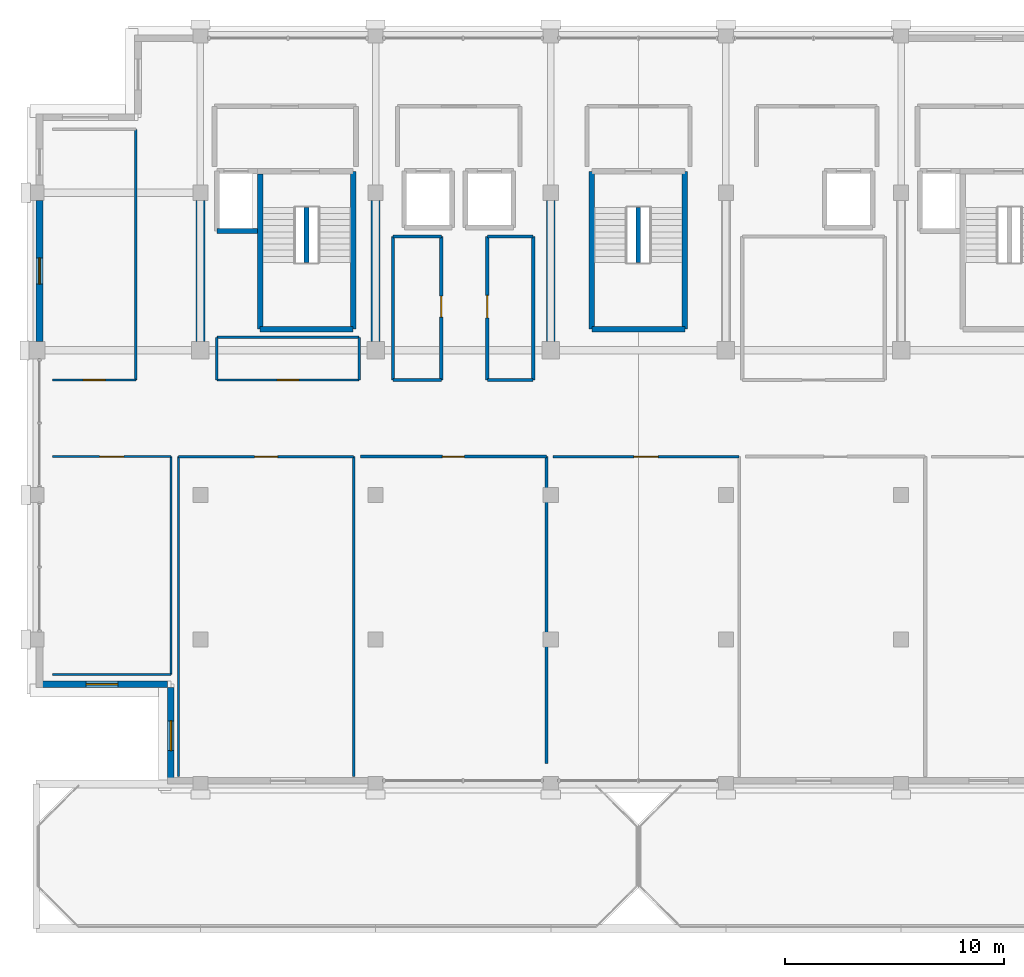
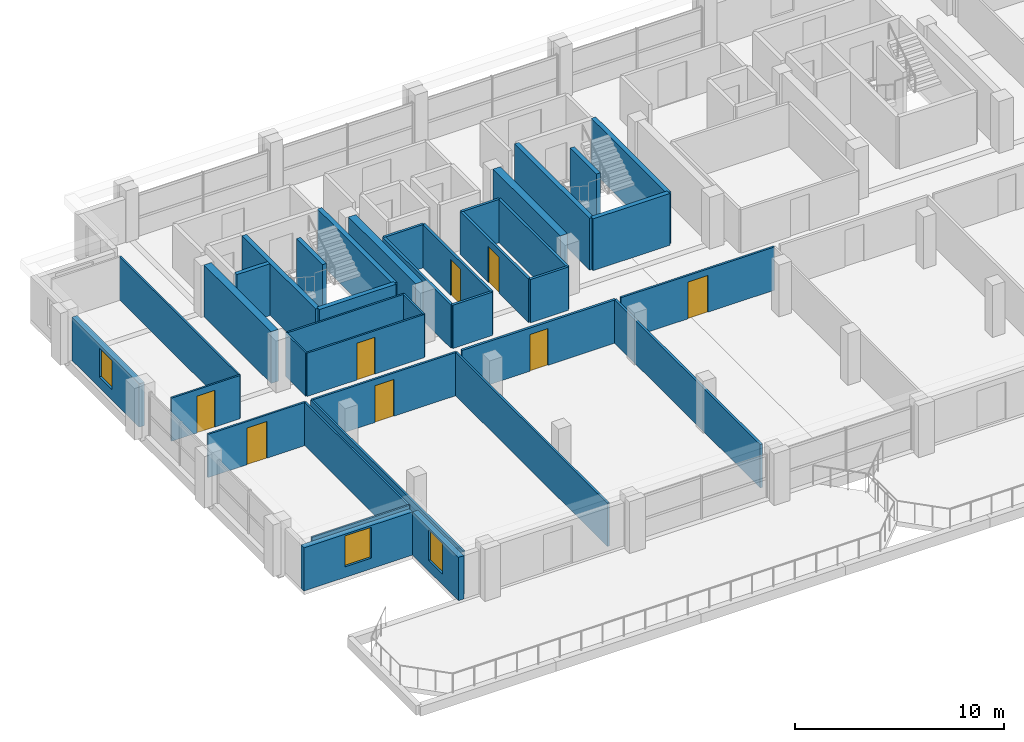
# One storey, part 16 of 21: 38 walls, 8 doors, 3 windows, 11 openings.
"""IFC4 building model written with IfcOpenShell, lengths in metres."""

from ifc_helpers import new_model, si_unit, direction, frame, frame_2d, origin, place, context, subcontext, project, spatial, rectangle, extrude, material, layer, layer_set, type_object, element, fill, save


model = new_model("IFC4")

# Units and contexts
model_context = context("Model", 3, precision=1e-05, world=origin(), true_north=direction((0.0, 1.0)))
body_context = subcontext(model_context, "Body", "Model", "MODEL_VIEW")
ifc_project = project(units=[si_unit("LENGTHUNIT", "METRE"), si_unit("AREAUNIT", "SQUARE_METRE"), si_unit("VOLUMEUNIT", "CUBIC_METRE"), si_unit("PLANEANGLEUNIT", "RADIAN"), si_unit("MASSUNIT", "GRAM", prefix="KILO")], contexts=[model_context])

# Site, building, storey
site_placement = place(None, origin())
site = spatial("IfcSite", under=ifc_project, at=site_placement, CompositionType="ELEMENT")
building_placement = place(site_placement, origin())
building = spatial("IfcBuilding", under=site, at=building_placement, Name="Akrevak Sports Hall", CompositionType="ELEMENT")
storey_placement = place(building_placement, frame((0.0, 0.0, 53.550048828125)))
storey = spatial("IfcBuildingStorey", under=building, at=storey_placement, Name="L13", CompositionType="ELEMENT", Elevation=53.550048828125)

# Wall, opening, window
ifc_material_1 = material(Name="Limestone Ashlar", Category="stone")
ifc_layer_1 = layer(ifc_material_1, 0.06005859375, Name="Limestone Ashlar")
ifc_material_2 = material(Name="Mineral Wool Thermal Insulation", Category="insulation")
ifc_layer_2 = layer(ifc_material_2, 0.090087890625, Name="Mineral Wool Thermal Insulation")
ifc_material_3 = material(Name="Concrete C40/50", Category="concrete")
ifc_layer_3 = layer(ifc_material_3, 0.14990234375, Name="Concrete C40/50")
ifc_layer_set_1 = layer_set([ifc_layer_1, ifc_layer_2, ifc_layer_3], Name="Limestone Ashlar / Mineral Wool Thermal Insulation / Concrete C40/50")
wall_type_1 = type_object("IfcWallType", Name="ARC-WL-EXT-300", PredefinedType="SOLIDWALL", material=ifc_layer_set_1)
wall_1_placement = place(storey_placement, frame((52.64990234375, 62.050048828125, 0.0), z_axis=(0.0, 0.0, 1.0), x_axis=(0.0, -1.0, 0.0)))
wall_1 = element("IfcWall", 1, at=wall_1_placement, inside=storey, type_object=wall_type_1, Name="Tower Stone Facade Wall L13-W27", PredefinedType="SOLIDWALL", context=body_context, shape_type="SweptSolid", body=[
    extrude(rectangle(XDim=6.449951171875, YDim=0.300048828125, at=frame_2d((3.22509765625, 0.0))), origin(), (0.0, 0.0, 1.0), 2.530029296875),
])
opening_1_placement = place(wall_1_placement, frame((2.625, 0.0, 0.6201171875)))
opening_1 = element("IfcOpeningElement", 2, at=opening_1_placement, cuts=wall_1, Name="Opening WN-13", PredefinedType="OPENING", context=body_context, shape_type="SweptSolid", body=[
    extrude(rectangle(XDim=1.199951171875, YDim=1.699951171875, at=frame_2d((0.60009765625, 0.85009765625))), frame((0.0, 0.162109375, 0.0), z_axis=(0.0, -1.0, 0.0), x_axis=(1.0, 0.0, 0.0)), (0.0, 0.0, 1.0), 0.323974609375),
])
ifc_material_4 = material(Name="Thermally Broken Bronze Frame & Double Low-E Glass", Category="glass")
window_type_1 = type_object("IfcWindowType", Name="ARC-WIN-TW-120x170", PartitioningType="SINGLE_PANEL", PredefinedType="WINDOW", material=ifc_material_4)
window_1_placement = place(opening_1_placement, origin())
window_1 = element("IfcWindow", 3, at=window_1_placement, inside=storey, type_object=window_type_1, Name="Tower Window L13-W27", OverallHeight=1.699951171875, OverallWidth=1.199951171875, PartitioningType="SINGLE_PANEL", PredefinedType="WINDOW", context=body_context, shape_type="SweptSolid", body=[
    extrude(rectangle(XDim=1.199951171875, YDim=1.699951171875, at=frame_2d((0.60009765625, 0.85009765625))), frame((0.0, 0.030029296875, 0.0), z_axis=(0.0, -1.0, 0.0), x_axis=(1.0, 0.0, 0.0)), (0.0, 0.0, 1.0), 0.06005859375),
])
fill(opening_1, window_1)

wall_2_placement = place(storey_placement, frame((52.5, 39.949951171875, 0.0), z_axis=(0.0, 0.0, 1.0), x_axis=(1.0, 0.0, 0.0)))
wall_2 = element("IfcWall", 4, at=wall_2_placement, inside=storey, type_object=wall_type_1, Name="Tower Stone Facade Wall L13-S31", PredefinedType="SOLIDWALL", context=body_context, shape_type="SweptSolid", body=[
    extrude(rectangle(XDim=6.0, YDim=0.300048828125, at=frame_2d((3.0, 0.0))), origin(), (0.0, 0.0, 1.0), 2.530029296875),
])
opening_2_placement = place(wall_2_placement, frame((2.27490234375, 0.0, 0.6201171875)))
opening_2 = element("IfcOpeningElement", 5, at=opening_2_placement, cuts=wall_2, Name="Opening WN-51", PredefinedType="OPENING", context=body_context, shape_type="SweptSolid", body=[
    extrude(rectangle(XDim=1.449951171875, YDim=1.81005859375, at=frame_2d((0.72509765625, 0.905029296875))), frame((0.0, 0.162109375, 0.0), z_axis=(0.0, -1.0, 0.0), x_axis=(1.0, 0.0, 0.0)), (0.0, 0.0, 1.0), 0.323974609375),
])
window_type_2 = type_object("IfcWindowType", Name="ARC-WIN-SZ-1450x1810", PartitioningType="SINGLE_PANEL", PredefinedType="WINDOW", material=ifc_material_4)
window_2_placement = place(opening_2_placement, origin())
window_2 = element("IfcWindow", 6, at=window_2_placement, inside=storey, type_object=window_type_2, Name="Tower Window L13-S31", OverallHeight=1.81005859375, OverallWidth=1.449951171875, PartitioningType="SINGLE_PANEL", PredefinedType="WINDOW", context=body_context, shape_type="SweptSolid", body=[
    extrude(rectangle(XDim=1.449951171875, YDim=1.81005859375, at=frame_2d((0.72509765625, 0.905029296875))), frame((0.0, 0.030029296875, 0.0), z_axis=(0.0, -1.0, 0.0), x_axis=(1.0, 0.0, 0.0)), (0.0, 0.0, 1.0), 0.06005859375),
])
fill(opening_2, window_2)

wall_3_placement = place(storey_placement, frame((58.64990234375, 39.800048828125, 0.0), z_axis=(0.0, 0.0, 1.0), x_axis=(0.0, -1.0, 0.0)))
wall_3 = element("IfcWall", 7, at=wall_3_placement, inside=storey, type_object=wall_type_1, Name="Tower Stone Facade Wall L13-W32", PredefinedType="SOLIDWALL", context=body_context, shape_type="SweptSolid", body=[
    extrude(rectangle(XDim=4.400146484375, YDim=0.300048828125, at=frame_2d((2.2001953125, 0.0))), origin(), (0.0, 0.0, 1.0), 2.530029296875),
])
opening_3_placement = place(wall_3_placement, frame((1.52490234375, 0.0, 0.6201171875)))
opening_3 = element("IfcOpeningElement", 8, at=opening_3_placement, cuts=wall_3, Name="Opening WN-19", PredefinedType="OPENING", context=body_context, shape_type="SweptSolid", body=[
    extrude(rectangle(XDim=1.35009765625, YDim=1.800048828125, at=frame_2d((0.675048828125, 0.89990234375))), frame((0.0, 0.162109375, 0.0), z_axis=(0.0, -1.0, 0.0), x_axis=(1.0, 0.0, 0.0)), (0.0, 0.0, 1.0), 0.323974609375),
])
window_type_3 = type_object("IfcWindowType", Name="ARC-WIN-TW-135x180", PartitioningType="SINGLE_PANEL", PredefinedType="WINDOW", material=ifc_material_4)
window_3_placement = place(opening_3_placement, origin())
window_3 = element("IfcWindow", 9, at=window_3_placement, inside=storey, type_object=window_type_3, Name="Tower Window L13-W32", OverallHeight=1.800048828125, OverallWidth=1.35009765625, PartitioningType="SINGLE_PANEL", PredefinedType="WINDOW", context=body_context, shape_type="SweptSolid", body=[
    extrude(rectangle(XDim=1.35009765625, YDim=1.800048828125, at=frame_2d((0.675048828125, 0.89990234375))), frame((0.0, 0.030029296875, 0.0), z_axis=(0.0, -1.0, 0.0), x_axis=(1.0, 0.0, 0.0)), (0.0, 0.0, 1.0), 0.06005859375),
])
fill(opening_3, window_3)

# Wall
ifc_material_5 = material(Name="Sanitary Cubicle Partition", Category="gypsum")
ifc_layer_4 = layer(ifc_material_5, 0.10009765625, Name="Sanitary Cubicle Partition")
ifc_layer_set_2 = layer_set([ifc_layer_4], Name="Sanitary Cubicle Partition")
wall_type_2 = type_object("IfcWallType", Name="ARC-WL-PRT-100", PredefinedType="PARTITIONING", material=ifc_layer_set_2)
wall_4_placement = place(storey_placement, frame((53.25, 40.39990234375, 0.0), z_axis=(0.0, 0.0, 1.0), x_axis=(1.0, 0.0, 0.0)))
element("IfcWall", 10, at=wall_4_placement, inside=storey, type_object=wall_type_2, Name="Interior Partition Federation Legal Counsel Office West (L13) (S)", PredefinedType="PARTITIONING", context=body_context, shape_type="SweptSolid", body=[
    extrude(rectangle(XDim=5.39990234375, YDim=0.10009765625, at=frame_2d((2.699951171875, 0.0))), origin(), (0.0, 0.0, 1.0), 2.530029296875),
])

# Wall, opening, door
wall_5_placement = place(storey_placement, frame((53.25, 50.35009765625, 0.0), z_axis=(0.0, 0.0, 1.0), x_axis=(1.0, 0.0, 0.0)))
wall_5 = element("IfcWall", 11, at=wall_5_placement, inside=storey, type_object=wall_type_2, Name="Interior Partition Federation Legal Counsel Office West (L13) (N)", PredefinedType="PARTITIONING", context=body_context, shape_type="SweptSolid", body=[
    extrude(rectangle(XDim=5.39990234375, YDim=0.10009765625, at=frame_2d((2.699951171875, 0.0))), origin(), (0.0, 0.0, 1.0), 2.530029296875),
])
opening_4_placement = place(wall_5_placement, frame((2.14990234375, 0.0, 0.0)))
opening_4 = element("IfcOpeningElement", 12, at=opening_4_placement, cuts=wall_5, Name="Opening ID-04", PredefinedType="OPENING", context=body_context, shape_type="SweptSolid", body=[
    extrude(rectangle(XDim=1.10009765625, YDim=2.14990234375, at=frame_2d((0.550048828125, 1.074951171875))), frame((0.0, 0.06201171875, 0.0), z_axis=(0.0, -1.0, 0.0), x_axis=(1.0, 0.0, 0.0)), (0.0, 0.0, 1.0), 0.1240234375),
])
ifc_material_6 = material(Name="Hardwood Oak Acoustic Leaf", Category="wood")
door_type_1 = type_object("IfcDoorType", Name="ARC-DR-OFF-110x215", OperationType="NOTDEFINED", PredefinedType="DOOR", material=ifc_material_6)
door_1_placement = place(opening_4_placement, origin())
door_1 = element("IfcDoor", 13, at=door_1_placement, inside=storey, type_object=door_type_1, Name="Door to Federation Legal Counsel Office West (L13)", OperationType="SINGLE_SWING_LEFT", OverallHeight=2.14990234375, OverallWidth=1.10009765625, PredefinedType="DOOR", context=body_context, shape_type="SweptSolid", body=[
    extrude(rectangle(XDim=1.10009765625, YDim=2.14990234375, at=frame_2d((0.550048828125, 1.074951171875))), frame((0.0, 0.02490234375, 0.0), z_axis=(0.0, -1.0, 0.0), x_axis=(1.0, 0.0, 0.0)), (0.0, 0.0, 1.0), 0.050048828125),
])
fill(opening_4, door_1)

# Wall
wall_6_placement = place(storey_placement, frame((58.64990234375, 40.39990234375, 0.0), z_axis=(0.0, 0.0, 1.0), x_axis=(0.0, 1.0, 0.0)))
element("IfcWall", 14, at=wall_6_placement, inside=storey, type_object=wall_type_2, Name="Interior Partition Federation Legal Counsel Office West (L13) (E)", PredefinedType="PARTITIONING", context=body_context, shape_type="SweptSolid", body=[
    extrude(rectangle(XDim=9.9501953125, YDim=0.10009765625, at=frame_2d((4.97509765625, 0.0))), origin(), (0.0, 0.0, 1.0), 2.530029296875),
])

# Wall, opening, door
wall_7_placement = place(storey_placement, frame((53.25, 53.85009765625, 0.0), z_axis=(0.0, 0.0, 1.0), x_axis=(1.0, 0.0, 0.0)))
wall_7 = element("IfcWall", 15, at=wall_7_placement, inside=storey, type_object=wall_type_2, Name="Interior Partition Federation Records Office West (L13) (S)", PredefinedType="PARTITIONING", context=body_context, shape_type="SweptSolid", body=[
    extrude(rectangle(XDim=3.800048828125, YDim=0.10009765625, at=frame_2d((1.89990234375, 0.0))), origin(), (0.0, 0.0, 1.0), 2.530029296875),
])
opening_5_placement = place(wall_7_placement, frame((1.39990234375, 0.0, 0.0)))
opening_5 = element("IfcOpeningElement", 16, at=opening_5_placement, cuts=wall_7, Name="Opening ID-06", PredefinedType="OPENING", context=body_context, shape_type="SweptSolid", body=[
    extrude(rectangle(XDim=1.0, YDim=2.14990234375, at=frame_2d((0.5, 1.074951171875))), frame((0.0, 0.06201171875, 0.0), z_axis=(0.0, -1.0, 0.0), x_axis=(1.0, 0.0, 0.0)), (0.0, 0.0, 1.0), 0.1240234375),
])
door_type_2 = type_object("IfcDoorType", Name="ARC-DR-OFF-100x215", OperationType="NOTDEFINED", PredefinedType="DOOR", material=ifc_material_6)
door_2_placement = place(opening_5_placement, origin())
door_2 = element("IfcDoor", 17, at=door_2_placement, inside=storey, type_object=door_type_2, Name="Door to Federation Records Office West (L13)", OperationType="SINGLE_SWING_LEFT", OverallHeight=2.14990234375, OverallWidth=1.0, PredefinedType="DOOR", context=body_context, shape_type="SweptSolid", body=[
    extrude(rectangle(XDim=1.0, YDim=2.14990234375, at=frame_2d((0.5, 1.074951171875))), frame((0.0, 0.02490234375, 0.0), z_axis=(0.0, -1.0, 0.0), x_axis=(1.0, 0.0, 0.0)), (0.0, 0.0, 1.0), 0.050048828125),
])
fill(opening_5, door_2)

# Wall
wall_8_placement = place(storey_placement, frame((57.050048828125, 53.85009765625, 0.0), z_axis=(0.0, 0.0, 1.0), x_axis=(0.0, 1.0, 0.0)))
element("IfcWall", 18, at=wall_8_placement, inside=storey, type_object=wall_type_2, Name="Interior Partition Federation Records Office West (L13) (E)", PredefinedType="PARTITIONING", context=body_context, shape_type="SweptSolid", body=[
    extrude(rectangle(XDim=11.449951171875, YDim=0.10009765625, at=frame_2d((5.72509765625, 0.0))), origin(), (0.0, 0.0, 1.0), 2.530029296875),
])

# Wall, opening, door
wall_9_placement = place(storey_placement, frame((60.75, 53.85009765625, 0.0), z_axis=(0.0, 0.0, 1.0), x_axis=(1.0, 0.0, 0.0)))
wall_9 = element("IfcWall", 19, at=wall_9_placement, inside=storey, type_object=wall_type_2, Name="Interior Partition Federation Technical Office West (L13) (S)", PredefinedType="PARTITIONING", context=body_context, shape_type="SweptSolid", body=[
    extrude(rectangle(XDim=6.5, YDim=0.10009765625, at=frame_2d((3.25, 0.0))), origin(), (0.0, 0.0, 1.0), 2.530029296875),
])
opening_6_placement = place(wall_9_placement, frame((2.75, 0.0, 0.0)))
opening_6 = element("IfcOpeningElement", 20, at=opening_6_placement, cuts=wall_9, Name="Opening ID-06", PredefinedType="OPENING", context=body_context, shape_type="SweptSolid", body=[
    extrude(rectangle(XDim=1.0, YDim=2.14990234375, at=frame_2d((0.5, 1.074951171875))), frame((0.0, 0.06201171875, 0.0), z_axis=(0.0, -1.0, 0.0), x_axis=(1.0, 0.0, 0.0)), (0.0, 0.0, 1.0), 0.1240234375),
])
door_3_placement = place(opening_6_placement, frame((1.0, 0.0, 0.0), z_axis=(0.0, 0.0, 1.0), x_axis=(-1.0, 0.0, 0.0)))
door_3 = element("IfcDoor", 21, at=door_3_placement, inside=storey, type_object=door_type_2, Name="Door to Federation Technical Office West (L13)", OperationType="SINGLE_SWING_RIGHT", OverallHeight=2.14990234375, OverallWidth=1.0, PredefinedType="DOOR", context=body_context, shape_type="SweptSolid", body=[
    extrude(rectangle(XDim=1.0, YDim=2.14990234375, at=frame_2d((0.5, 1.074951171875))), frame((0.0, 0.02490234375, 0.0), z_axis=(0.0, -1.0, 0.0), x_axis=(1.0, 0.0, 0.0)), (0.0, 0.0, 1.0), 0.050048828125),
])
fill(opening_6, door_3)

# Walls
wall_10_placement = place(storey_placement, frame((60.75, 55.800048828125, 0.0), z_axis=(0.0, 0.0, 1.0), x_axis=(1.0, 0.0, 0.0)))
element("IfcWall", 22, at=wall_10_placement, inside=storey, type_object=wall_type_2, Name="Interior Partition Federation Technical Office West (L13) (N)", PredefinedType="PARTITIONING", context=body_context, shape_type="SweptSolid", body=[
    extrude(rectangle(XDim=6.5, YDim=0.10009765625, at=frame_2d((3.25, 0.0))), origin(), (0.0, 0.0, 1.0), 2.530029296875),
])
for number, where, z_axis, x_axis, name in (
    (23, (60.75, 53.85009765625, 0.0), (0.0, 0.0, 1.0), (0.0, 1.0, 0.0), "Interior Partition Federation Technical Office West (L13) (W)"),
    (24, (67.25, 53.85009765625, 0.0), (0.0, 0.0, 1.0), (0.0, 1.0, 0.0), "Interior Partition Federation Technical Office West (L13) (E)"),
):
    element("IfcWall", number, at=place(storey_placement, frame(where, z_axis=z_axis, x_axis=x_axis)), inside=storey, type_object=wall_type_2, Name=name, PredefinedType="PARTITIONING", context=body_context, shape_type="SweptSolid", body=[
        extrude(rectangle(XDim=1.949951171875, YDim=0.10009765625, at=frame_2d((0.97509765625, 0.0))), origin(), (0.0, 0.0, 1.0), 2.530029296875),
    ])

# Wall, opening, door
ifc_material_7 = material(Name="Lightweight Office Partition", Category="gypsum")
ifc_layer_5 = layer(ifc_material_7, 0.110107421875, Name="Lightweight Office Partition")
ifc_layer_set_3 = layer_set([ifc_layer_5], Name="Lightweight Office Partition")
wall_type_3 = type_object("IfcWallType", Name="ARC-WL-PRT-110", PredefinedType="PARTITIONING", material=ifc_layer_set_3)
wall_11_placement = place(storey_placement, frame((59.0, 50.35009765625, 0.0), z_axis=(0.0, 0.0, 1.0), x_axis=(1.0, 0.0, 0.0)))
wall_11 = element("IfcWall", 25, at=wall_11_placement, inside=storey, type_object=wall_type_3, Name="Interior Partition Regional Athletics Directorate 1 (L13) (N)", PredefinedType="PARTITIONING", context=body_context, shape_type="SweptSolid", body=[
    extrude(rectangle(XDim=8.0, YDim=0.110107421875, at=frame_2d((4.0, 0.0))), origin(), (0.0, 0.0, 1.0), 2.530029296875),
])
opening_7_placement = place(wall_11_placement, frame((3.47509765625, 0.0, 0.0)))
opening_7 = element("IfcOpeningElement", 26, at=opening_7_placement, cuts=wall_11, Name="Opening ID-05", PredefinedType="OPENING", context=body_context, shape_type="SweptSolid", body=[
    extrude(rectangle(XDim=1.050048828125, YDim=2.14990234375, at=frame_2d((0.52490234375, 1.074951171875))), frame((0.0, 0.06689453125, 0.0), z_axis=(0.0, -1.0, 0.0), x_axis=(1.0, 0.0, 0.0)), (0.0, 0.0, 1.0), 0.134033203125),
])
door_type_3 = type_object("IfcDoorType", Name="ARC-DR-OFF-105x215", OperationType="NOTDEFINED", PredefinedType="DOOR", material=ifc_material_6)
door_4_placement = place(opening_7_placement, frame((1.050048828125, 0.0, 0.0), z_axis=(0.0, 0.0, 1.0), x_axis=(-1.0, 0.0, 0.0)))
door_4 = element("IfcDoor", 27, at=door_4_placement, inside=storey, type_object=door_type_3, Name="Door to Regional Athletics Directorate 1 (L13)", OperationType="SINGLE_SWING_RIGHT", OverallHeight=2.14990234375, OverallWidth=1.050048828125, PredefinedType="DOOR", context=body_context, shape_type="SweptSolid", body=[
    extrude(rectangle(XDim=1.050048828125, YDim=2.14990234375, at=frame_2d((0.52490234375, 1.074951171875))), frame((0.0, 0.02490234375, 0.0), z_axis=(0.0, -1.0, 0.0), x_axis=(1.0, 0.0, 0.0)), (0.0, 0.0, 1.0), 0.050048828125),
])
fill(opening_7, door_4)

# Walls
for number, where, z_axis, x_axis, name in (
    (28, (59.0, 35.75, 0.0), (0.0, 0.0, 1.0), (0.0, 1.0, 0.0), "Interior Partition Regional Athletics Directorate 1 (L13) (W)"),
    (29, (67.0, 35.75, 0.0), (0.0, 0.0, 1.0), (0.0, 1.0, 0.0), "Interior Partition Regional Athletics Directorate 1 (L13) (E)"),
):
    element("IfcWall", number, at=place(storey_placement, frame(where, z_axis=z_axis, x_axis=x_axis)), inside=storey, type_object=wall_type_3, Name=name, PredefinedType="PARTITIONING", context=body_context, shape_type="SweptSolid", body=[
        extrude(rectangle(XDim=14.60009765625, YDim=0.110107421875, at=frame_2d((7.300048828125, 0.0))), origin(), (0.0, 0.0, 1.0), 2.530029296875),
    ])

# Wall, opening, door
wall_12_placement = place(storey_placement, frame((76.10009765625, 50.35009765625, 0.0), z_axis=(0.0, 0.0, 1.0), x_axis=(1.0, 0.0, 0.0)))
wall_12 = element("IfcWall", 30, at=wall_12_placement, inside=storey, type_object=wall_type_3, Name="Interior Partition Youth Sports Development Academy (L13) (N)", PredefinedType="PARTITIONING", context=body_context, shape_type="SweptSolid", body=[
    extrude(rectangle(XDim=8.5, YDim=0.110107421875, at=frame_2d((4.25, 0.0))), origin(), (0.0, 0.0, 1.0), 2.530029296875),
])
opening_8_placement = place(wall_12_placement, frame((3.699951171875, 0.0, 0.0)))
opening_8 = element("IfcOpeningElement", 31, at=opening_8_placement, cuts=wall_12, Name="Opening ID-04", PredefinedType="OPENING", context=body_context, shape_type="SweptSolid", body=[
    extrude(rectangle(XDim=1.10009765625, YDim=2.14990234375, at=frame_2d((0.550048828125, 1.074951171875))), frame((0.0, 0.06689453125, 0.0), z_axis=(0.0, -1.0, 0.0), x_axis=(1.0, 0.0, 0.0)), (0.0, 0.0, 1.0), 0.134033203125),
])
door_5_placement = place(opening_8_placement, frame((1.10009765625, 0.0, 0.0), z_axis=(0.0, 0.0, 1.0), x_axis=(-1.0, 0.0, 0.0)))
door_5 = element("IfcDoor", 32, at=door_5_placement, inside=storey, type_object=door_type_1, Name="Door to Youth Sports Development Academy (L13)", OperationType="SINGLE_SWING_RIGHT", OverallHeight=2.14990234375, OverallWidth=1.10009765625, PredefinedType="DOOR", context=body_context, shape_type="SweptSolid", body=[
    extrude(rectangle(XDim=1.10009765625, YDim=2.14990234375, at=frame_2d((0.550048828125, 1.074951171875))), frame((0.0, 0.02490234375, 0.0), z_axis=(0.0, -1.0, 0.0), x_axis=(1.0, 0.0, 0.0)), (0.0, 0.0, 1.0), 0.050048828125),
])
fill(opening_8, door_5)

ifc_material_8 = material(Name="Acoustic Metal Stud Partition", Category="gypsum")
ifc_layer_6 = layer(ifc_material_8, 0.1298828125, Name="Acoustic Metal Stud Partition")
ifc_layer_set_4 = layer_set([ifc_layer_6], Name="Acoustic Metal Stud Partition")
wall_type_4 = type_object("IfcWallType", Name="ARC-WL-PRT-130", PredefinedType="PARTITIONING", material=ifc_layer_set_4)
wall_13_placement = place(storey_placement, frame((67.300048828125, 50.35009765625, 0.0), z_axis=(0.0, 0.0, 1.0), x_axis=(1.0, 0.0, 0.0)))
wall_13 = element("IfcWall", 33, at=wall_13_placement, inside=storey, type_object=wall_type_4, Name="Interior Partition Regional Athletics Directorate 2 (L13) (N)", PredefinedType="PARTITIONING", context=body_context, shape_type="SweptSolid", body=[
    extrude(rectangle(XDim=8.5, YDim=0.1298828125, at=frame_2d((4.25, 0.0))), origin(), (0.0, 0.0, 1.0), 2.530029296875),
])
opening_9_placement = place(wall_13_placement, frame((3.75, 0.0, 0.0)))
opening_9 = element("IfcOpeningElement", 34, at=opening_9_placement, cuts=wall_13, Name="Opening ID-06", PredefinedType="OPENING", context=body_context, shape_type="SweptSolid", body=[
    extrude(rectangle(XDim=1.0, YDim=2.14990234375, at=frame_2d((0.5, 1.074951171875))), frame((0.0, 0.076904296875, 0.0), z_axis=(0.0, -1.0, 0.0), x_axis=(1.0, 0.0, 0.0)), (0.0, 0.0, 1.0), 0.15380859375),
])
door_6_placement = place(opening_9_placement, origin())
door_6 = element("IfcDoor", 35, at=door_6_placement, inside=storey, type_object=door_type_2, Name="Door to Regional Athletics Directorate 2 (L13)", OperationType="SINGLE_SWING_LEFT", OverallHeight=2.14990234375, OverallWidth=1.0, PredefinedType="DOOR", context=body_context, shape_type="SweptSolid", body=[
    extrude(rectangle(XDim=1.0, YDim=2.14990234375, at=frame_2d((0.5, 1.074951171875))), frame((0.0, 0.02490234375, 0.0), z_axis=(0.0, -1.0, 0.0), x_axis=(1.0, 0.0, 0.0)), (0.0, 0.0, 1.0), 0.050048828125),
])
fill(opening_9, door_6)

# Walls
wall_14_placement = place(storey_placement, frame((75.800048828125, 36.330078125, 0.0), z_axis=(0.0, 0.0, 1.0), x_axis=(0.0, 1.0, 0.0)))
element("IfcWall", 36, at=wall_14_placement, inside=storey, type_object=wall_type_4, Name="Interior Partition Regional Athletics Directorate 2 (L13) (E)", PredefinedType="PARTITIONING", context=body_context, shape_type="SweptSolid", body=[
    extrude(rectangle(XDim=14.02001953125, YDim=0.1298828125, at=frame_2d((7.010009765625, 0.0))), origin(), (0.0, 0.0, 1.0), 2.530029296875),
])
ifc_material_9 = material(Name="Moisture-Resistant Wet-Area Partition", Category="gypsum")
ifc_layer_7 = layer(ifc_material_9, 0.139892578125, Name="Moisture-Resistant Wet-Area Partition")
ifc_layer_set_5 = layer_set([ifc_layer_7], Name="Moisture-Resistant Wet-Area Partition")
wall_type_5 = type_object("IfcWallType", Name="ARC-WL-PRT-140", PredefinedType="PARTITIONING", material=ifc_layer_set_5)
for number, where, z_axis, x_axis, name in (
    (37, (68.800048828125, 53.85009765625, 0.0), (0.0, 0.0, 1.0), (1.0, 0.0, 0.0), "Interior Partition Staff WC L13 (S)"),
    (38, (68.800048828125, 60.39990234375, 0.0), (0.0, 0.0, 1.0), (1.0, 0.0, 0.0), "Interior Partition Staff WC L13 (N)"),
):
    element("IfcWall", number, at=place(storey_placement, frame(where, z_axis=z_axis, x_axis=x_axis)), inside=storey, type_object=wall_type_5, Name=name, PredefinedType="PARTITIONING", context=body_context, shape_type="SweptSolid", body=[
        extrude(rectangle(XDim=2.199951171875, YDim=0.139892578125, at=frame_2d((1.10009765625, 0.0))), origin(), (0.0, 0.0, 1.0), 2.530029296875),
    ])
wall_15_placement = place(storey_placement, frame((68.800048828125, 53.85009765625, 0.0), z_axis=(0.0, 0.0, 1.0), x_axis=(0.0, 1.0, 0.0)))
element("IfcWall", 39, at=wall_15_placement, inside=storey, type_object=wall_type_5, Name="Interior Partition Staff WC L13 (W)", PredefinedType="PARTITIONING", context=body_context, shape_type="SweptSolid", body=[
    extrude(rectangle(XDim=6.5498046875, YDim=0.139892578125, at=frame_2d((3.27490234375, 0.0))), origin(), (0.0, 0.0, 1.0), 2.530029296875),
])

# Wall, opening, door
wall_16_placement = place(storey_placement, frame((71.0, 53.85009765625, 0.0), z_axis=(0.0, 0.0, 1.0), x_axis=(0.0, 1.0, 0.0)))
wall_16 = element("IfcWall", 40, at=wall_16_placement, inside=storey, type_object=wall_type_5, Name="Interior Partition Staff WC L13 (E)", PredefinedType="PARTITIONING", context=body_context, shape_type="SweptSolid", body=[
    extrude(rectangle(XDim=6.5498046875, YDim=0.139892578125, at=frame_2d((3.27490234375, 0.0))), origin(), (0.0, 0.0, 1.0), 2.530029296875),
])
opening_10_placement = place(wall_16_placement, frame((2.875, 0.0, 0.0)))
opening_10 = element("IfcOpeningElement", 41, at=opening_10_placement, cuts=wall_16, Name="Opening ID-08", PredefinedType="OPENING", context=body_context, shape_type="SweptSolid", body=[
    extrude(rectangle(XDim=0.949951171875, YDim=2.10009765625, at=frame_2d((0.47509765625, 1.050048828125))), frame((0.0, 0.08203125, 0.0), z_axis=(0.0, -1.0, 0.0), x_axis=(1.0, 0.0, 0.0)), (0.0, 0.0, 1.0), 0.163818359375),
])
ifc_material_10 = material(Name="High-Pressure Laminate & Aluminium", Category="aluminium")
door_type_4 = type_object("IfcDoorType", Name="ARC-DR-WC-095x210", OperationType="NOTDEFINED", PredefinedType="DOOR", material=ifc_material_10)
door_7_placement = place(opening_10_placement, frame((0.949951171875, 0.0, 0.0), z_axis=(0.0, 0.0, 1.0), x_axis=(-1.0, 0.0, 0.0)))
door_7 = element("IfcDoor", 42, at=door_7_placement, inside=storey, type_object=door_type_4, Name="Door to Staff WC L13", OperationType="SINGLE_SWING_RIGHT", OverallHeight=2.10009765625, OverallWidth=0.949951171875, PredefinedType="DOOR", context=body_context, shape_type="SweptSolid", body=[
    extrude(rectangle(XDim=0.949951171875, YDim=2.10009765625, at=frame_2d((0.47509765625, 1.050048828125))), frame((0.0, 0.02490234375, 0.0), z_axis=(0.0, -1.0, 0.0), x_axis=(1.0, 0.0, 0.0)), (0.0, 0.0, 1.0), 0.050048828125),
])
fill(opening_10, door_7)

# Walls
for number, where, z_axis, x_axis, name in (
    (43, (73.10009765625, 53.85009765625, 0.0), (0.0, 0.0, 1.0), (1.0, 0.0, 0.0), "Interior Partition Accessible WC & Shower L13 (S)"),
    (44, (73.10009765625, 60.39990234375, 0.0), (0.0, 0.0, 1.0), (1.0, 0.0, 0.0), "Interior Partition Accessible WC & Shower L13 (N)"),
):
    element("IfcWall", number, at=place(storey_placement, frame(where, z_axis=z_axis, x_axis=x_axis)), inside=storey, type_object=wall_type_5, Name=name, PredefinedType="PARTITIONING", context=body_context, shape_type="SweptSolid", body=[
        extrude(rectangle(XDim=2.099853515625, YDim=0.139892578125, at=frame_2d((1.0498046875, 0.0))), origin(), (0.0, 0.0, 1.0), 2.530029296875),
    ])

# Wall, opening, door
wall_17_placement = place(storey_placement, frame((73.10009765625, 53.85009765625, 0.0), z_axis=(0.0, 0.0, 1.0), x_axis=(0.0, 1.0, 0.0)))
wall_17 = element("IfcWall", 45, at=wall_17_placement, inside=storey, type_object=wall_type_5, Name="Interior Partition Accessible WC & Shower L13 (W)", PredefinedType="PARTITIONING", context=body_context, shape_type="SweptSolid", body=[
    extrude(rectangle(XDim=6.5498046875, YDim=0.139892578125, at=frame_2d((3.27490234375, 0.0))), origin(), (0.0, 0.0, 1.0), 2.530029296875),
])
opening_11_placement = place(wall_17_placement, frame((2.840087890625, 0.0, 0.0)))
opening_11 = element("IfcOpeningElement", 46, at=opening_11_placement, cuts=wall_17, Name="Opening ID-09", PredefinedType="OPENING", context=body_context, shape_type="SweptSolid", body=[
    extrude(rectangle(XDim=1.02001953125, YDim=2.10009765625, at=frame_2d((0.510009765625, 1.050048828125))), frame((0.0, 0.08203125, 0.0), z_axis=(0.0, -1.0, 0.0), x_axis=(1.0, 0.0, 0.0)), (0.0, 0.0, 1.0), 0.163818359375),
])
door_type_5 = type_object("IfcDoorType", Name="ARC-DR-AWC-102x210", OperationType="NOTDEFINED", PredefinedType="DOOR", material=ifc_material_10)
door_8_placement = place(opening_11_placement, origin())
door_8 = element("IfcDoor", 47, at=door_8_placement, inside=storey, type_object=door_type_5, Name="Door to Accessible WC & Shower L13", OperationType="SINGLE_SWING_LEFT", OverallHeight=2.10009765625, OverallWidth=1.02001953125, PredefinedType="DOOR", context=body_context, shape_type="SweptSolid", body=[
    extrude(rectangle(XDim=1.02001953125, YDim=2.10009765625, at=frame_2d((0.510009765625, 1.050048828125))), frame((0.0, 0.02490234375, 0.0), z_axis=(0.0, -1.0, 0.0), x_axis=(1.0, 0.0, 0.0)), (0.0, 0.0, 1.0), 0.050048828125),
])
fill(opening_11, door_8)

# Walls
wall_18_placement = place(storey_placement, frame((75.199951171875, 53.85009765625, 0.0), z_axis=(0.0, 0.0, 1.0), x_axis=(0.0, 1.0, 0.0)))
element("IfcWall", 48, at=wall_18_placement, inside=storey, type_object=wall_type_5, Name="Interior Partition Accessible WC & Shower L13 (E)", PredefinedType="PARTITIONING", context=body_context, shape_type="SweptSolid", body=[
    extrude(rectangle(XDim=6.5498046875, YDim=0.139892578125, at=frame_2d((3.27490234375, 0.0))), origin(), (0.0, 0.0, 1.0), 2.530029296875),
])
ifc_layer_8 = layer(ifc_material_3, 0.219970703125, Name="Concrete C40/50")
ifc_layer_set_6 = layer_set([ifc_layer_8], Name="Concrete C40/50")
wall_type_6 = type_object("IfcWallType", Name="ARC-WL-PRT-220", PredefinedType="PARTITIONING", material=ifc_layer_set_6)
for number, where, z_axis, x_axis, name in (
    (49, (64.85009765625, 59.215087890625, 0.0), (0.0, 0.0, 1.0), (0.0, 1.0, 0.0), "Stair ST1 Central Spine Wall (L13)"),
    (50, (80.0, 59.215087890625, 0.0), (0.0, 0.0, 1.0), (0.0, 1.0, 0.0), "Stair ST3 Central Spine Wall (L13)"),
):
    element("IfcWall", number, at=place(storey_placement, frame(where, z_axis=z_axis, x_axis=x_axis)), inside=storey, type_object=wall_type_6, Name=name, PredefinedType="PARTITIONING", context=body_context, shape_type="SweptSolid", body=[
        extrude(rectangle(XDim=2.52001953125, YDim=0.219970703125, at=frame_2d((1.260009765625, 0.0))), origin(), (0.0, 0.0, 1.0), 3.030029296875),
    ])
ifc_material_11 = material(Name="Concrete C50/60", Category="concrete")
ifc_layer_9 = layer(ifc_material_11, 0.219970703125, Name="Concrete C50/60")
ifc_layer_set_7 = layer_set([ifc_layer_9], Name="Concrete C50/60")
wall_type_7 = type_object("IfcWallType", Name="ARC-WL-SHAFT-220", PredefinedType="SHEAR", material=ifc_layer_set_7)
wall_19_placement = place(storey_placement, frame((60.760009765625, 60.659912109375, 0.0), z_axis=(0.0, 0.0, 1.0), x_axis=(1.0, 0.0, 0.0)))
element("IfcWall", 51, at=wall_19_placement, inside=storey, type_object=wall_type_7, Name="Lift Shaft LF-FF1 Wall S (L13)", PredefinedType="SHEAR", context=body_context, shape_type="SweptSolid", body=[
    extrude(rectangle(XDim=1.840087890625, YDim=0.219970703125, at=frame_2d((0.919921875, 0.0))), origin(), (0.0, 0.0, 1.0), 3.030029296875),
])
ifc_layer_10 = layer(ifc_material_11, 0.39990234375, Name="Concrete C50/60")
ifc_layer_set_8 = layer_set([ifc_layer_10], Name="Concrete C50/60")
wall_type_8 = type_object("IfcWallType", Name="STR-WL-CORE-400", PredefinedType="SHEAR", material=ifc_layer_set_8)
for number, where, z_axis, x_axis, name in (
    (52, (60.0, 55.60009765625, 0.0), (0.0, 0.0, 1.0), (0.0, 1.0, 0.0), "Reinforced Concrete Shear Wall SW-W2 (L13)"),
    (53, (68.0, 55.60009765625, 0.0), (0.0, 0.0, 1.0), (0.0, 1.0, 0.0), "Reinforced Concrete Shear Wall SW-C1 (L13)"),
    (54, (76.0, 55.60009765625, 0.0), (0.0, 0.0, 1.0), (0.0, 1.0, 0.0), "Reinforced Concrete Shear Wall SW-W1 (L13)"),
):
    element("IfcWall", number, at=place(storey_placement, frame(where, z_axis=z_axis, x_axis=x_axis)), inside=storey, type_object=wall_type_8, Name=name, PredefinedType="SHEAR", context=body_context, shape_type="SweptSolid", body=[
        extrude(rectangle(XDim=6.449951171875, YDim=0.39990234375, at=frame_2d((3.22509765625, 0.0))), origin(), (0.0, 0.0, 1.0), 3.030029296875),
    ])
ifc_layer_11 = layer(ifc_material_11, 0.25, Name="Concrete C50/60")
ifc_layer_set_9 = layer_set([ifc_layer_11], Name="Concrete C50/60")
wall_type_9 = type_object("IfcWallType", Name="STR-WL-STAIR-250", PredefinedType="SHEAR", material=ifc_layer_set_9)
wall_20_placement = place(storey_placement, frame((62.72509765625, 56.175048828125, 0.0), z_axis=(0.0, 0.0, 1.0), x_axis=(1.0, 0.0, 0.0)))
element("IfcWall", 55, at=wall_20_placement, inside=storey, type_object=wall_type_9, Name="Stair Core ST1 Shear Wall S (L13)", PredefinedType="SHEAR", context=body_context, shape_type="SweptSolid", body=[
    extrude(rectangle(XDim=4.25, YDim=0.25, at=frame_2d((2.125, 0.0))), origin(), (0.0, 0.0, 1.0), 3.030029296875),
])
wall_21_placement = place(storey_placement, frame((62.72509765625, 63.25, 0.0), z_axis=(0.0, 0.0, 1.0), x_axis=(0.0, -1.0, 0.0)))
element("IfcWall", 56, at=wall_21_placement, inside=storey, type_object=wall_type_9, Name="Stair Core ST1 Shear Wall W (L13)", PredefinedType="SHEAR", context=body_context, shape_type="SweptSolid", body=[
    extrude(rectangle(XDim=7.074951171875, YDim=0.25, at=frame_2d((3.53759765625, 0.0))), origin(), (0.0, 0.0, 1.0), 3.030029296875),
])
wall_22_placement = place(storey_placement, frame((66.97509765625, 56.175048828125, 0.0), z_axis=(0.0, 0.0, 1.0), x_axis=(0.0, 1.0, 0.0)))
element("IfcWall", 57, at=wall_22_placement, inside=storey, type_object=wall_type_9, Name="Stair Core ST1 Shear Wall E (L13)", PredefinedType="SHEAR", context=body_context, shape_type="SweptSolid", body=[
    extrude(rectangle(XDim=7.199951171875, YDim=0.25, at=frame_2d((3.60009765625, 0.0))), origin(), (0.0, 0.0, 1.0), 3.030029296875),
])
wall_23_placement = place(storey_placement, frame((77.875, 56.175048828125, 0.0), z_axis=(0.0, 0.0, 1.0), x_axis=(1.0, 0.0, 0.0)))
element("IfcWall", 58, at=wall_23_placement, inside=storey, type_object=wall_type_9, Name="Stair Core ST3 Shear Wall S (L13)", PredefinedType="SHEAR", context=body_context, shape_type="SweptSolid", body=[
    extrude(rectangle(XDim=4.25, YDim=0.25, at=frame_2d((2.125, 0.0))), origin(), (0.0, 0.0, 1.0), 3.030029296875),
])
for number, where, z_axis, x_axis, name in (
    (59, (77.875, 63.375, 0.0), (0.0, 0.0, 1.0), (0.0, -1.0, 0.0), "Stair Core ST3 Shear Wall W (L13)"),
    (60, (82.125, 56.175048828125, 0.0), (0.0, 0.0, 1.0), (0.0, 1.0, 0.0), "Stair Core ST3 Shear Wall E (L13)"),
):
    element("IfcWall", number, at=place(storey_placement, frame(where, z_axis=z_axis, x_axis=x_axis)), inside=storey, type_object=wall_type_9, Name=name, PredefinedType="SHEAR", context=body_context, shape_type="SweptSolid", body=[
        extrude(rectangle(XDim=7.199951171875, YDim=0.25, at=frame_2d((3.60009765625, 0.0))), origin(), (0.0, 0.0, 1.0), 3.030029296875),
    ])

save(model, "model.ifc")
